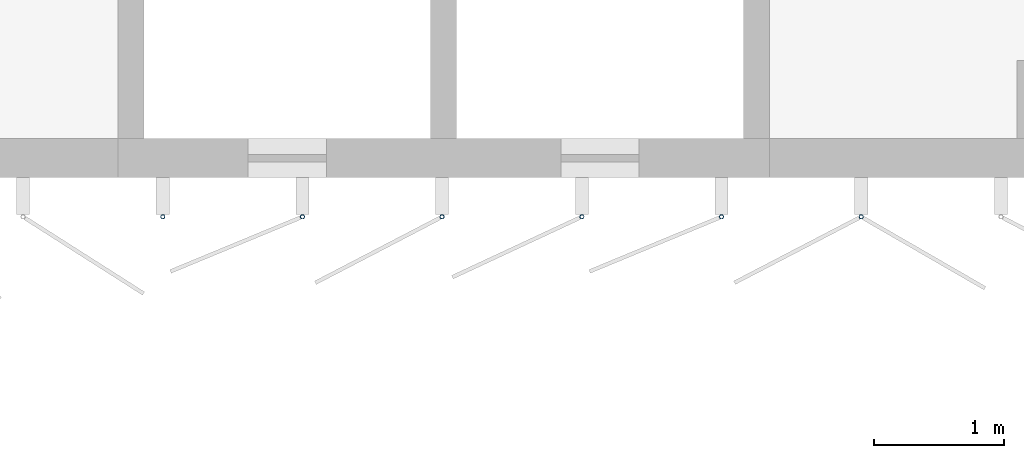
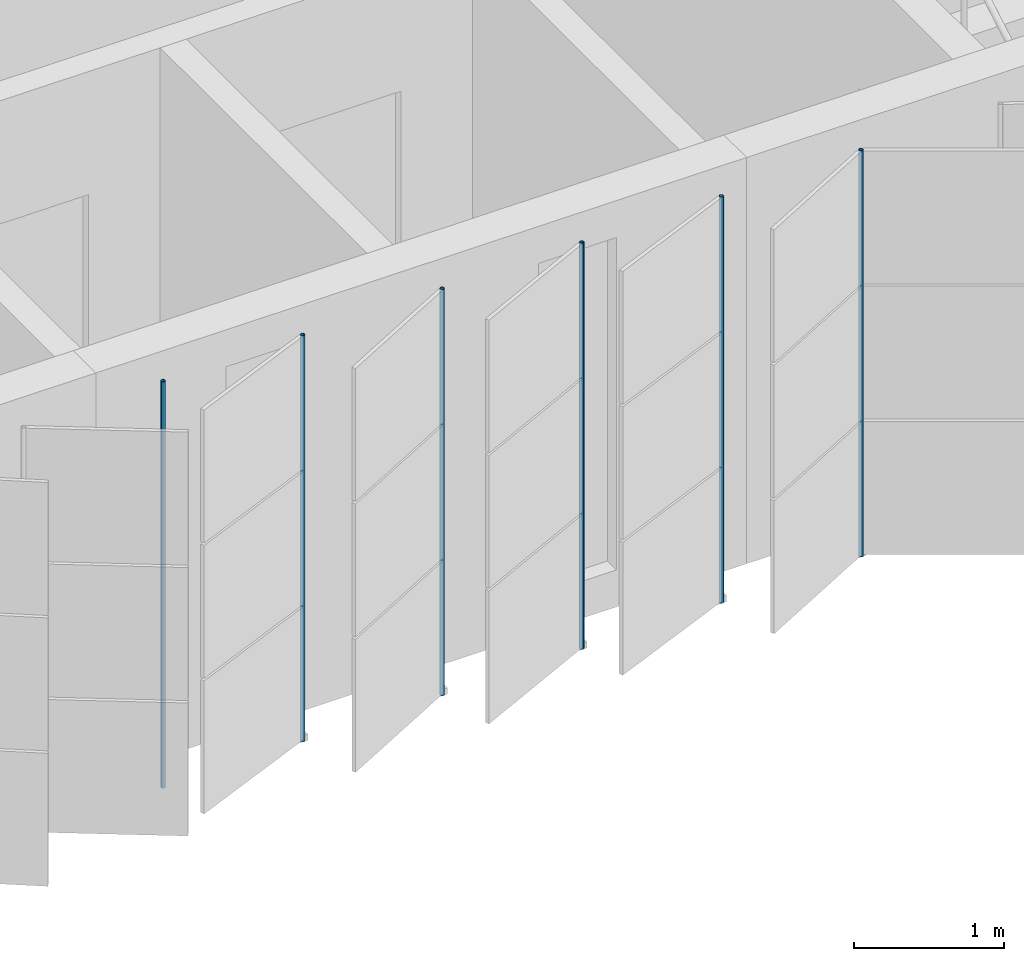
# One storey, part 79 of 199: 6 discrete accessories.
"""IFC4 building model written with IfcOpenShell, lengths in metres."""

from ifc_helpers import new_model, si_unit, direction, frame, origin, origin_2d, place, context, subcontext, project, spatial, hollow_circle, extrude, material, material_profile, profile_set, type_object, element, save


model = new_model("IFC4")

# Units and contexts
model_context = context("Model", 3, precision=1e-05, world=origin(), true_north=direction((0.0, 1.0)))
body_context = subcontext(model_context, "Body", "Model", "MODEL_VIEW")
ifc_project = project(units=[si_unit("LENGTHUNIT", "METRE"), si_unit("AREAUNIT", "SQUARE_METRE"), si_unit("VOLUMEUNIT", "CUBIC_METRE"), si_unit("PLANEANGLEUNIT", "RADIAN"), si_unit("MASSUNIT", "GRAM", prefix="KILO")], contexts=[model_context])

# Site, building, storey
site_placement = place(None, origin())
site = spatial("IfcSite", under=ifc_project, at=site_placement, CompositionType="ELEMENT")
building_placement = place(site_placement, origin())
building = spatial("IfcBuilding", under=site, at=building_placement, Name="Parallax Yard Mobility Hub", CompositionType="ELEMENT")
storey_placement = place(building_placement, frame((0.0, 0.0, 9.89990234375)))
storey = spatial("IfcBuildingStorey", under=building, at=storey_placement, Name="L03", CompositionType="ELEMENT", Elevation=9.89990234375)

# Discrete accessories
ifc_material = material(Name="Steel ASTM A500 Gr C, hot-dip galvanised", Category="steel")
ifc_material_profile = material_profile(ifc_material, hollow_circle(Radius=0.016845703125, WallThickness=0.003173828125, at=origin_2d()), Name="CHS 33.7x3.2")
ifc_profile_set = profile_set([ifc_material_profile], Name="Steel ASTM A500 Gr C, hot-dip galvanised")
discrete_accessory_type = type_object("IfcDiscreteAccessoryType", Name="Hinge post CHS 33.7x3.2", PredefinedType="BRACKET", material=ifc_profile_set)
for number, where, z_axis, x_axis, name in (
    (1, (72.843994140625, 112.199951171875, 0.0), (0.0, 0.0, 1.0), (1.0, 0.0, 0.0), "Hinge post bay 6.6 level L03"),
    (2, (73.916015625, 112.199951171875, 0.0), (0.0, 0.0, 1.0), (1.0, 0.0, 0.0), "Hinge post bay 6.7 level L03"),
    (3, (74.98828125, 112.199951171875, 0.0), (0.0, 0.0, 1.0), (1.0, 0.0, 0.0), "Hinge post bay 6.8 level L03"),
    (4, (76.060546875, 112.199951171875, 0.0), (0.0, 0.0, 1.0), (1.0, 0.0, 0.0), "Hinge post bay 6.9 level L03"),
    (5, (77.1328125, 112.199951171875, 0.0), (0.0, 0.0, 1.0), (1.0, 0.0, 0.0), "Hinge post bay 6.10 level L03"),
    (6, (78.205078125, 112.199951171875, 0.0), (0.0, 0.0, 1.0), (1.0, 0.0, 0.0), "Hinge post bay 6.11 level L03"),
):
    element("IfcDiscreteAccessory", number, at=place(storey_placement, frame(where, z_axis=z_axis, x_axis=x_axis)), inside=storey, type_object=discrete_accessory_type, Name=name, PredefinedType="BRACKET", context=body_context, shape_type="SweptSolid", body=[
        extrude(hollow_circle(Radius=0.016845703125, WallThickness=0.003173828125, at=origin_2d()), origin(), (0.0, 0.0, 1.0), 3.300048828125),
    ])

save(model, "model.ifc")
